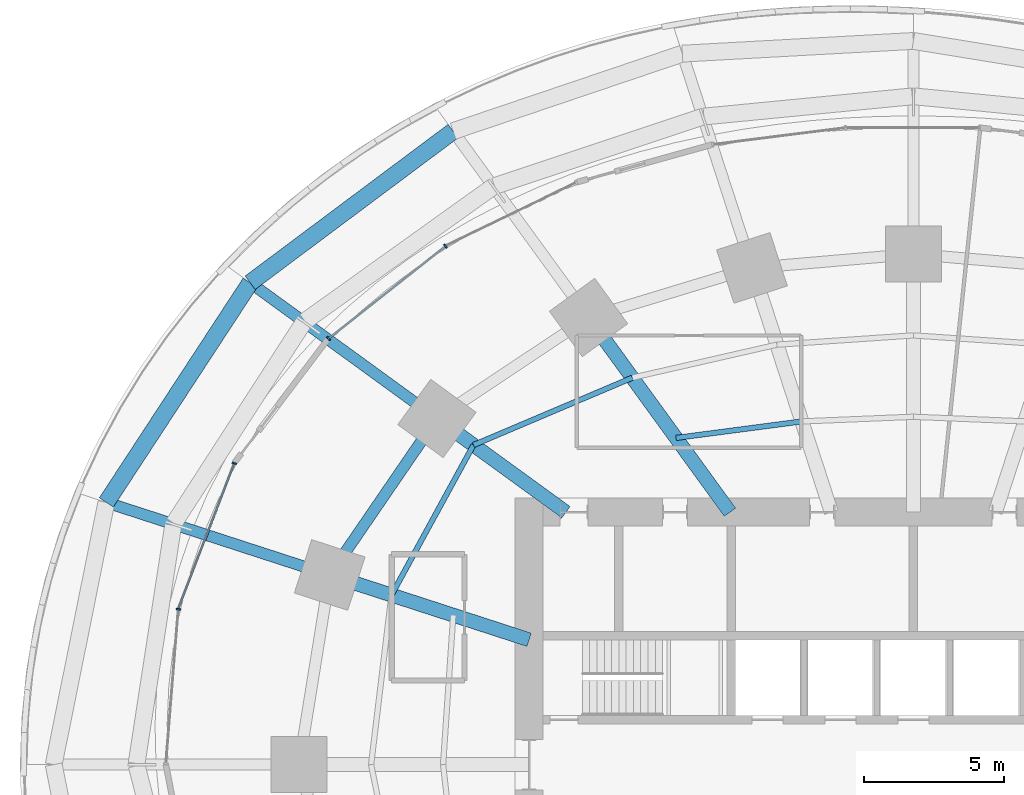
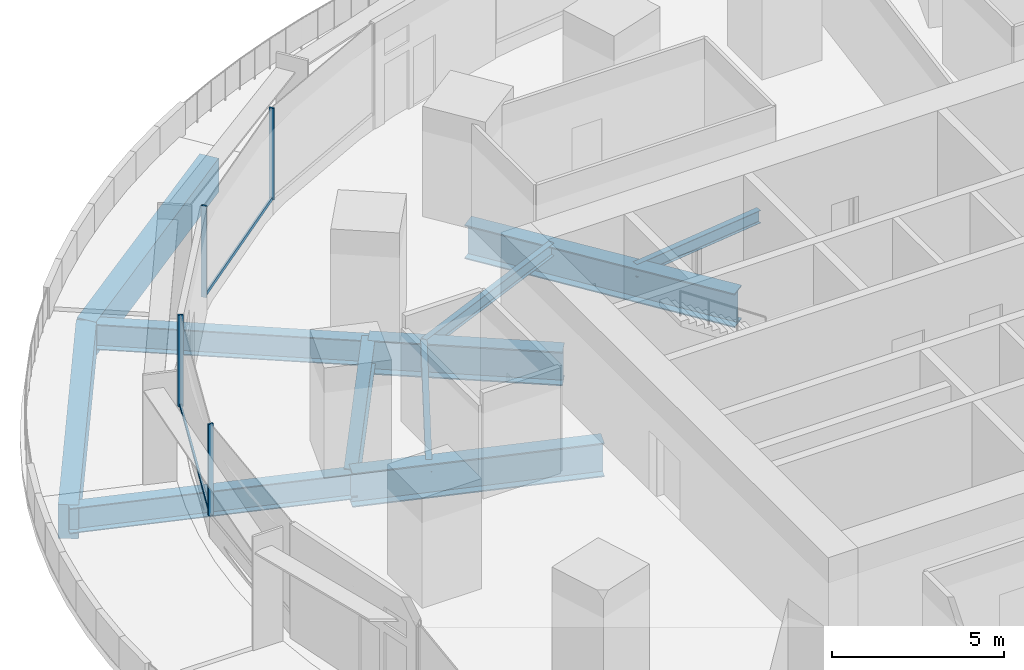
# One storey, part 6 of 20: 11 beams, 6 members, 2 elements without a shape of their own.
"""IFC4 building model written with IfcOpenShell, lengths in metres."""

from ifc_helpers import new_model, si_unit, direction, frame, origin, origin_2d, place, context, subcontext, project, spatial, rectangle, i_section, extrude, material, material_profile, profile_set, type_object, element, aggregate, save


model = new_model("IFC4")

# Units and contexts
model_context = context("Model", 3, precision=1e-05, world=origin(), true_north=direction((0.0, 1.0)))
body_context = subcontext(model_context, "Body", "Model", "MODEL_VIEW")
ifc_project = project(units=[si_unit("LENGTHUNIT", "METRE"), si_unit("AREAUNIT", "SQUARE_METRE"), si_unit("VOLUMEUNIT", "CUBIC_METRE"), si_unit("PLANEANGLEUNIT", "RADIAN"), si_unit("MASSUNIT", "GRAM", prefix="KILO")], contexts=[model_context])

# Site, building, storey
site_placement = place(None, origin())
site = spatial("IfcSite", under=ifc_project, at=site_placement, CompositionType="ELEMENT")
building_placement = place(site_placement, origin())
building = spatial("IfcBuilding", under=site, at=building_placement, Name="Marramba Exchange Tower", CompositionType="ELEMENT")
storey_placement = place(building_placement, frame((0.0, 0.0, 19.60009765625)))
storey = spatial("IfcBuildingStorey", under=building, at=storey_placement, Name="L04", CompositionType="ELEMENT", Elevation=19.60009765625)

# Beams
ifc_material_1 = material(Name="Concrete N50", Category="concrete")
ifc_material_profile_1 = material_profile(ifc_material_1, rectangle(XDim=0.60009765625, YDim=1.199951171875, at=origin_2d()), Name="RC 600x1200")
ifc_profile_set_1 = profile_set([ifc_material_profile_1], Name="Concrete N50")
beam_type_1 = type_object("IfcBeamType", Name="Edge beam RC 600x1200 N50", PredefinedType="SPANDREL", material=ifc_profile_set_1)
beam_1_placement = place(storey_placement, frame((-16.40869140625, 22.58447265625, -0.85009765625), z_axis=(-0.801143536075, -0.598472250489, 0.0), x_axis=(0.598472250489, -0.801143536075, 0.0)))
element("IfcBeam", 1, at=beam_1_placement, inside=storey, type_object=beam_type_1, Name="Edge beam L04 P3C08", PredefinedType="SPANDREL", context=body_context, shape_type="SweptSolid", body=[
    extrude(rectangle(XDim=0.60009765625, YDim=1.199951171875, at=origin_2d()), origin(), (0.0, 0.0, 1.0), 9.0322265625),
])
beam_2_placement = place(storey_placement, frame((-23.644775390625, 17.178955078125, -0.85009765625), z_axis=(-0.547649213564, -0.836708036822, 0.0), x_axis=(0.836708036822, -0.547649213564, 0.0)))
element("IfcBeam", 2, at=beam_2_placement, inside=storey, type_object=beam_type_1, Name="Edge beam L04 P3C09", PredefinedType="SPANDREL", context=body_context, shape_type="SweptSolid", body=[
    extrude(rectangle(XDim=0.60009765625, YDim=1.199951171875, at=origin_2d()), origin(), (0.0, 0.0, 1.0), 9.359130859375),
])
ifc_material_2 = material(Name="Steel AS/NZS 3679.1 grade 300", Category="steel")
ifc_material_profile_2 = material_profile(ifc_material_2, i_section(OverallWidth=0.18994140625, OverallDepth=0.4541015625, WebThickness=0.008544921875, FlangeThickness=0.0126953125, FilletRadius=0.011474609375, at=origin_2d()), Name="460UB67.1")
ifc_profile_set_2 = profile_set([ifc_material_profile_2], Name="Steel AS/NZS 3679.1 grade 300")
beam_type_2 = type_object("IfcBeamType", Name="Floor joist 460UB67.1", PredefinedType="JOIST", material=ifc_profile_set_2)
beam_3_placement = place(storey_placement, frame((-3.975830078125, 12.236083984375, -0.427001953125), z_axis=(-0.991480538255, -0.130254912618, 0.0), x_axis=(0.130254912618, -0.991480538255, 0.0)))
element("IfcBeam", 3, at=beam_3_placement, inside=storey, type_object=beam_type_2, Name="Joist L04 bay 07 row 1", PredefinedType="JOIST", context=body_context, shape_type="SweptSolid", body=[
    extrude(i_section(OverallWidth=0.18994140625, OverallDepth=0.4541015625, WebThickness=0.008544921875, FlangeThickness=0.0126953125, FilletRadius=0.011474609375, at=origin_2d()), origin(), (0.0, 0.0, 1.0), 4.524658203125),
])
beam_4_placement = place(storey_placement, frame((-10.021728515625, 13.793701171875, -0.427001953125), z_axis=(-0.920674336375, -0.390331610738, 0.0), x_axis=(0.390331610738, -0.920674336375, 0.0)))
element("IfcBeam", 4, at=beam_4_placement, inside=storey, type_object=beam_type_2, Name="Joist L04 bay 08 row 2", PredefinedType="JOIST", context=body_context, shape_type="SweptSolid", body=[
    extrude(i_section(OverallWidth=0.18994140625, OverallDepth=0.4541015625, WebThickness=0.008544921875, FlangeThickness=0.0126953125, FilletRadius=0.011474609375, at=origin_2d()), origin(), (0.0, 0.0, 1.0), 6.1484375),
])
beam_5_placement = place(storey_placement, frame((-15.682373046875, 11.393798828125, -0.427001953125), z_axis=(-0.479584443791, -0.877495732909, 0.0), x_axis=(0.877495732909, -0.479584443791, 0.0)))
element("IfcBeam", 5, at=beam_5_placement, inside=storey, type_object=beam_type_2, Name="Joist L04 bay 09 row 2", PredefinedType="JOIST", context=body_context, shape_type="SweptSolid", body=[
    extrude(i_section(OverallWidth=0.18994140625, OverallDepth=0.4541015625, WebThickness=0.008544921875, FlangeThickness=0.0126953125, FilletRadius=0.011474609375, at=origin_2d()), origin(), (0.0, 0.0, 1.0), 6.094970703125),
])
ifc_material_3 = material(Name="Steel AS/NZS 3679.2 grade 300", Category="steel")
ifc_material_profile_3 = material_profile(ifc_material_3, i_section(OverallWidth=0.5, OverallDepth=1.199951171875, WebThickness=0.01611328125, FlangeThickness=0.0400390625, at=origin_2d()), Name="1200WB455")
ifc_profile_set_3 = profile_set([ifc_material_profile_3], Name="Steel AS/NZS 3679.2 grade 300")
beam_type_3 = type_object("IfcBeamType", Name="Radial girder 1200WB455", PredefinedType="BEAM", material=ifc_profile_set_3)
beam_6_placement = place(storey_placement, frame((-6.538818359375, 9.0, -0.800048828125), z_axis=(-0.587782439969, 0.80901903764, 0.0), x_axis=(-0.80901903764, -0.587782439969, 0.0)))
element("IfcBeam", 6, at=beam_6_placement, inside=storey, type_object=beam_type_3, Name="Radial girder L04 TC08", PredefinedType="BEAM", context=body_context, shape_type="SweptSolid", body=[
    extrude(i_section(OverallWidth=0.5, OverallDepth=1.199951171875, WebThickness=0.01611328125, FlangeThickness=0.0400390625, at=origin_2d()), origin(), (0.0, 0.0, 1.0), 8.578857421875),
])
beam_7_placement = place(storey_placement, frame((-12.387451171875, 9.0, -0.800048828125), z_axis=(-0.809025746925, 0.587773205252, 0.0), x_axis=(-0.587773205252, -0.809025746925, 0.0)))
element("IfcBeam", 7, at=beam_7_placement, inside=storey, type_object=beam_type_3, Name="Radial girder L04 TC09", PredefinedType="BEAM", context=body_context, shape_type="SweptSolid", body=[
    extrude(i_section(OverallWidth=0.5, OverallDepth=1.199951171875, WebThickness=0.01611328125, FlangeThickness=0.0400390625, at=origin_2d()), origin(), (0.0, 0.0, 1.0), 5.683837890625),
])
beam_8_placement = place(storey_placement, frame((-13.699951171875, 4.451416015625, -0.800048828125), z_axis=(-0.951059990189, 0.309006302624, 0.0), x_axis=(-0.309006302624, -0.951059990189, 0.0)))
element("IfcBeam", 8, at=beam_8_placement, inside=storey, type_object=beam_type_3, Name="Radial girder L04 TC10", PredefinedType="BEAM", context=body_context, shape_type="SweptSolid", body=[
    extrude(i_section(OverallWidth=0.5, OverallDepth=1.199951171875, WebThickness=0.01611328125, FlangeThickness=0.0400390625, at=origin_2d()), origin(), (0.0, 0.0, 1.0), 7.47412109375),
])
ifc_material_profile_4 = material_profile(ifc_material_3, i_section(OverallWidth=0.39990234375, OverallDepth=0.89990234375, WebThickness=0.01611328125, FlangeThickness=0.031982421875, at=origin_2d()), Name="900WB282")
ifc_profile_set_4 = profile_set([ifc_material_profile_4], Name="Steel AS/NZS 3679.2 grade 300")
beam_type_4 = type_object("IfcBeamType", Name="Radial girder 900WB282", PredefinedType="BEAM", material=ifc_profile_set_4)
beam_9_placement = place(storey_placement, frame((-23.644775390625, 17.178955078125, -0.7001953125), z_axis=(0.80900920075, -0.587795979148, 0.0), x_axis=(0.587795979148, 0.80900920075, 0.0)))
element("IfcBeam", 9, at=beam_9_placement, inside=storey, type_object=beam_type_4, Name="Radial girder L04 P3C09", PredefinedType="BEAM", context=body_context, shape_type="SweptSolid", body=[
    extrude(i_section(OverallWidth=0.39990234375, OverallDepth=0.89990234375, WebThickness=0.01611328125, FlangeThickness=0.031982421875, at=origin_2d()), origin(), (0.0, 0.0, 1.0), 8.23095703125),
])
beam_10_placement = place(storey_placement, frame((-28.770263671875, 9.34814453125, -0.7001953125), z_axis=(0.951050354939, -0.309035956436, 0.0), x_axis=(0.309035956436, 0.951050354939, 0.0)))
element("IfcBeam", 10, at=beam_10_placement, inside=storey, type_object=beam_type_4, Name="Radial girder L04 P3C10", PredefinedType="BEAM", context=body_context, shape_type="SweptSolid", body=[
    extrude(i_section(OverallWidth=0.39990234375, OverallDepth=0.89990234375, WebThickness=0.01611328125, FlangeThickness=0.031982421875, at=origin_2d()), origin(), (0.0, 0.0, 1.0), 8.371826171875),
])
ifc_material_profile_5 = material_profile(ifc_material_3, i_section(OverallWidth=0.39990234375, OverallDepth=1.0, WebThickness=0.01611328125, FlangeThickness=0.031982421875, at=origin_2d()), Name="1000WB322")
ifc_profile_set_5 = profile_set([ifc_material_profile_5], Name="Steel AS/NZS 3679.2 grade 300")
beam_type_5 = type_object("IfcBeamType", Name="Ring beam 1000WB322", PredefinedType="SPANDREL", material=ifc_profile_set_5)
beam_11_placement = place(storey_placement, frame((-16.98583984375, 12.3408203125, -0.7001953125), z_axis=(-0.56516002054, -0.824981303535, 0.0), x_axis=(0.824981303535, -0.56516002054, 0.0)))
element("IfcBeam", 11, at=beam_11_placement, inside=storey, type_object=beam_type_5, Name="Ring beam L04 TC09-TC10", PredefinedType="SPANDREL", context=body_context, shape_type="SweptSolid", body=[
    extrude(i_section(OverallWidth=0.39990234375, OverallDepth=1.0, WebThickness=0.01611328125, FlangeThickness=0.031982421875, at=origin_2d()), origin(), (0.0, 0.0, 1.0), 6.763671875),
])

# Curtain wall, members
ifc_material_4 = material(Name="Aluminium framing, bronze anodised", Category="aluminium")
curtain_wall_type = type_object("IfcCurtainWallType", Name="Trading floor ribbon curtain wall", PredefinedType="USERDEFINED", material=ifc_material_4)
curtain_wall_1_placement = place(storey_placement, origin())
curtain_wall_1 = element("IfcCurtainWall", 12, at=curtain_wall_1_placement, inside=storey, type_object=curtain_wall_type, Name="Curtain wall CW3 L04 F11-F12", ObjectType="RIBBON CURTAIN WALL", PredefinedType="USERDEFINED")
ifc_material_5 = material(Name="Aluminium mullion, bronze anodised", Category="aluminium")
ifc_material_profile_6 = material_profile(ifc_material_5, rectangle(XDim=0.159912109375, YDim=0.06005859375, at=origin_2d()), Name="CW3 mullion 60x160")
ifc_profile_set_6 = profile_set([ifc_material_profile_6], Name="Aluminium mullion, bronze anodised")
member_type_1 = type_object("IfcMemberType", Name="Trading floor ribbon curtain wall mullion", PredefinedType="MULLION", material=ifc_profile_set_6)
member_1_placement = place(storey_placement, frame((-16.683837890625, 18.484619140625, 0.7998046875), z_axis=(0.0, 0.0, 1.0), x_axis=(0.620649730166, -0.784087949432, 0.0)))
member_1 = element("IfcMember", 13, at=member_1_placement, type_object=member_type_1, Name="CW3 mullion 1", PredefinedType="MULLION", context=body_context, shape_type="SweptSolid", body=[
    extrude(rectangle(XDim=0.159912109375, YDim=0.06005859375, at=origin_2d()), origin(), (0.0, 0.0, 1.0), 3.239990234375),
])
member_2_placement = place(storey_placement, frame((-20.851806640625, 15.185546875, 0.7998046875), z_axis=(0.0, 0.0, 1.0), x_axis=(0.620649730166, -0.784087949432, 0.0)))
member_2 = element("IfcMember", 14, at=member_2_placement, type_object=member_type_1, Name="CW3 mullion 2", PredefinedType="MULLION", context=body_context, shape_type="SweptSolid", body=[
    extrude(rectangle(XDim=0.159912109375, YDim=0.06005859375, at=origin_2d()), origin(), (0.0, 0.0, 1.0), 3.239990234375),
])

curtain_wall_2_placement = place(storey_placement, origin())
curtain_wall_2 = element("IfcCurtainWall", 15, at=curtain_wall_2_placement, inside=storey, type_object=curtain_wall_type, Name="Curtain wall CW3 L04 F14-F15", ObjectType="RIBBON CURTAIN WALL", PredefinedType="USERDEFINED")
member_3_placement = place(storey_placement, frame((-24.207275390625, 10.7451171875, 0.7998046875), z_axis=(0.0, 0.0, 1.0), x_axis=(0.933135256626, -0.359525510698, 0.0)))
member_3 = element("IfcMember", 16, at=member_3_placement, type_object=member_type_1, Name="CW3 mullion 1", PredefinedType="MULLION", context=body_context, shape_type="SweptSolid", body=[
    extrude(rectangle(XDim=0.159912109375, YDim=0.06005859375, at=origin_2d()), origin(), (0.0, 0.0, 1.0), 3.239990234375),
])
member_4_placement = place(storey_placement, frame((-26.203857421875, 5.539306640625, 0.7998046875), z_axis=(0.0, 0.0, 1.0), x_axis=(0.996772736434, -0.080275225953, 0.0)))
member_4 = element("IfcMember", 17, at=member_4_placement, type_object=member_type_1, Name="CW3 mullion 1", PredefinedType="MULLION", context=body_context, shape_type="SweptSolid", body=[
    extrude(rectangle(XDim=0.159912109375, YDim=0.06005859375, at=origin_2d()), origin(), (0.0, 0.0, 1.0), 3.239990234375),
])

# Member
ifc_material_6 = material(Name="Aluminium transom, bronze anodised", Category="aluminium")
ifc_material_profile_7 = material_profile(ifc_material_6, rectangle(XDim=0.06005859375, YDim=0.1201171875, at=origin_2d()), Name="CW3 transom 60x120")
ifc_profile_set_7 = profile_set([ifc_material_profile_7], Name="Aluminium transom, bronze anodised")
member_type_2 = type_object("IfcMemberType", Name="Trading floor ribbon curtain wall transom", PredefinedType="USERDEFINED", material=ifc_profile_set_7)
member_5_placement = place(storey_placement, frame((-16.70751953125, 18.466064453125, 0.829833984375), z_axis=(-0.784080675392, -0.620658919599, 0.0), x_axis=(0.620658919599, -0.784080675392, 0.0)))
member_5 = element("IfcMember", 18, at=member_5_placement, type_object=member_type_2, Name="CW3 sill transom", ObjectType="TRANSOM", PredefinedType="USERDEFINED", context=body_context, shape_type="SweptSolid", body=[
    extrude(rectangle(XDim=0.06005859375, YDim=0.1201171875, at=origin_2d()), origin(), (0.0, 0.0, 1.0), 5.255615234375),
])

aggregate(curtain_wall_1, [member_1, member_2, member_5])

member_6_placement = place(storey_placement, frame((-24.218017578125, 10.717041015625, 0.829833984375), z_axis=(-0.359533581349, -0.933132147063, 0.0), x_axis=(0.933132147063, -0.359533581349, 0.0)))
member_6 = element("IfcMember", 19, at=member_6_placement, type_object=member_type_2, Name="CW3 sill transom", ObjectType="TRANSOM", PredefinedType="USERDEFINED", context=body_context, shape_type="SweptSolid", body=[
    extrude(rectangle(XDim=0.06005859375, YDim=0.1201171875, at=origin_2d()), origin(), (0.0, 0.0, 1.0), 5.5166015625),
])

aggregate(curtain_wall_2, [member_3, member_6, member_4])

save(model, "model.ifc")
